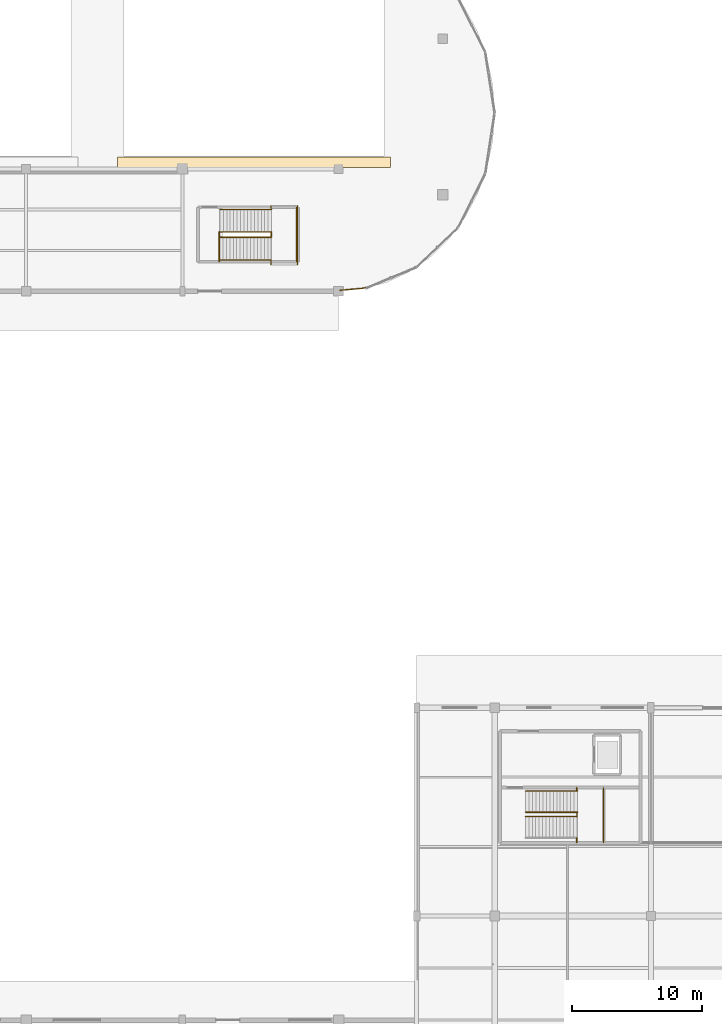
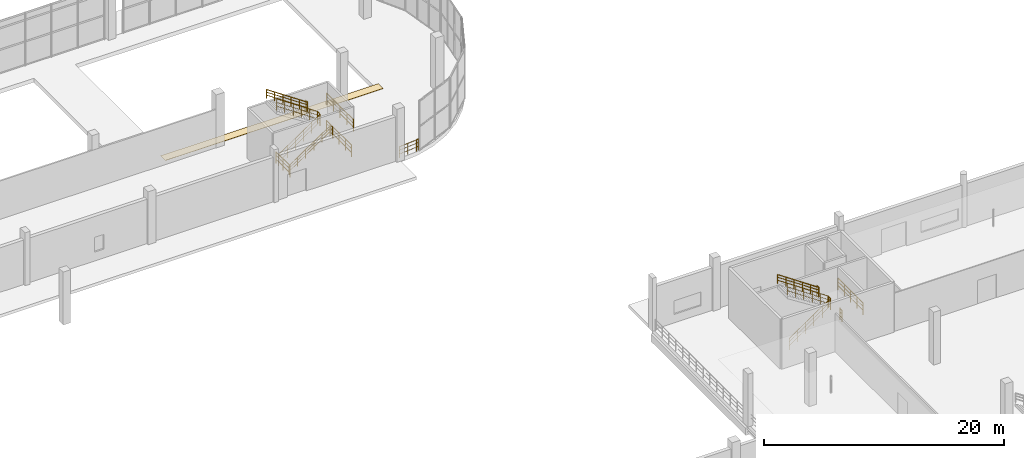
# One storey, part 82 of 85: 19 railings, 1 covering.
"""IFC4 building model written with IfcOpenShell, lengths in metres."""

import ifcopenshell
import ifcopenshell.guid

model = None  # the IFC model being written
_history = None  # IfcOwnerHistory: only IFC2X3 demands one
_inside = {}  # id of a spatial element -> (the spatial element, [elements in it])
_under = {}  # id of a project, library or spatial element -> (it, [spatial elements below it])
_declared = {}  # id of a project -> (the project, [libraries it declares])
_typed = {}  # id of a type object -> (the type object, [elements of that type])
_made_of = {}  # id of a material, layer set ... -> (it, [elements and type objects made of it])


def new_model(schema):
    """Start an empty IFC model of exactly this schema.

    Asked for "IFC4X3", IfcOpenShell would pick the latest addendum, in which some entities
    have other attributes; the version numbers below select the first issue.
    IFC2X3 requires an IfcOwnerHistory on every rooted entity: one is made here for all.
    """
    global model, _history
    if schema == "IFC4X3":
        model = ifcopenshell.file(schema_version=(4, 3, 0, 0))
    else:
        model = ifcopenshell.file(schema=schema)
    _inside.clear()
    _under.clear()
    _declared.clear()
    _typed.clear()
    _made_of.clear()
    _history = None
    if model.schema == "IFC2X3":
        org = make("IfcOrganization", Name="unknown")
        user = make(
            "IfcPersonAndOrganization",
            ThePerson=make("IfcPerson", FamilyName="unknown"),
            TheOrganization=org,
        )
        app = make(
            "IfcApplication",
            ApplicationDeveloper=org,
            Version="unknown",
            ApplicationFullName="unknown",
            ApplicationIdentifier="unknown",
        )
        _history = make(
            "IfcOwnerHistory",
            OwningUser=user,
            OwningApplication=app,
            ChangeAction="ADDED",
            CreationDate=0,
        )
    return model


def make(cls, **values):
    """One entity of the class cls with the attributes given. An attribute that is None is left unset."""
    return model.create_entity(
        cls, **{name: value for name, value in values.items() if value is not None}
    )


def rooted(cls, **values):
    """An entity with a GlobalId (a new one), such as an element, a storey or a relation."""
    return make(cls, GlobalId=ifcopenshell.guid.new(), OwnerHistory=_history, **values)


def si_unit(unit_type, name, prefix=None):
    """IfcSIUnit, for example si_unit("LENGTHUNIT", "METRE", prefix="MILLI")."""
    return make("IfcSIUnit", UnitType=unit_type, Prefix=prefix, Name=name)


def assignment(units):
    """IfcUnitAssignment: the units of a project."""
    return None if units is None else make("IfcUnitAssignment", Units=units)


def point(xyz):
    """IfcCartesianPoint."""
    return None if xyz is None else make("IfcCartesianPoint", Coordinates=xyz)


def direction(xyz):
    """IfcDirection."""
    return None if xyz is None else make("IfcDirection", DirectionRatios=xyz)


def frame(location, z_axis=None, x_axis=None):
    """IfcAxis2Placement3D, a coordinate frame: its origin and axes. An axis left out is left unset."""
    return make(
        "IfcAxis2Placement3D",
        Location=point(location),
        Axis=direction(z_axis),
        RefDirection=direction(x_axis),
    )


def frame_2d(location, x_axis=None):
    """IfcAxis2Placement2D, a coordinate frame in the plane: its origin and x axis."""
    return make(
        "IfcAxis2Placement2D", Location=point(location), RefDirection=direction(x_axis)
    )


def origin():
    """The frame at (0, 0, 0) with its axes left unset."""
    return frame((0.0, 0.0, 0.0))


def origin_2d():
    """The frame at (0, 0) in the plane with its x axis left unset."""
    return frame_2d((0.0, 0.0))


def place(relative_to, where):
    """IfcLocalPlacement: puts the frame where relative to a parent placement (None: the world)."""
    return make(
        "IfcLocalPlacement", PlacementRelTo=relative_to, RelativePlacement=where
    )


def context(
    kind, dimensions, precision=None, world=None, true_north=None, identifier=None
):
    """IfcGeometricRepresentationContext, for example the 3D "Model" context."""
    return make(
        "IfcGeometricRepresentationContext",
        ContextIdentifier=identifier,
        ContextType=kind,
        CoordinateSpaceDimension=dimensions,
        Precision=precision,
        WorldCoordinateSystem=world,
        TrueNorth=true_north,
    )


def subcontext(parent, identifier, kind, view, scale=None):
    """IfcGeometricRepresentationSubContext, for example "Body" below "Model"."""
    return make(
        "IfcGeometricRepresentationSubContext",
        ContextIdentifier=identifier,
        ContextType=kind,
        ParentContext=parent,
        TargetScale=scale,
        TargetView=view,
    )


def project(units=None, contexts=None):
    """IfcProject with its units and contexts."""
    return rooted(
        "IfcProject",
        Name="project",
        RepresentationContexts=contexts,
        UnitsInContext=assignment(units),
    )


def spatial(cls, under=None, at=None, **own):
    """A site, building, storey or space (cls), placed at a placement, below another one or the project."""
    s = rooted(cls, ObjectPlacement=at, **own)
    if under is not None:
        _under.setdefault(under.id(), (under, []))[1].append(s)
    return s


def profile(cls, at=None, kind="AREA", **sizes):
    """A parametric profile (cls). Its sizes go by their IFC names, for example OverallWidth=200.0."""
    return make(cls, ProfileType=kind, Position=at, **sizes)


def rectangle(**sizes):
    """IfcRectangleProfileDef."""
    return profile("IfcRectangleProfileDef", **sizes)


def circle(**sizes):
    """IfcCircleProfileDef."""
    return profile("IfcCircleProfileDef", **sizes)


def extrude(swept, where, along, depth):
    """IfcExtrudedAreaSolid: the profile swept, set in the frame where, extruded along a direction by depth."""
    return make(
        "IfcExtrudedAreaSolid",
        SweptArea=swept,
        Position=where,
        ExtrudedDirection=direction(along),
        Depth=depth,
    )


def shape(context_of_items, identifier, shape_type, items):
    """IfcShapeRepresentation: the items that make up one representation, for example the "Body"."""
    return make(
        "IfcShapeRepresentation",
        ContextOfItems=context_of_items,
        RepresentationIdentifier=identifier,
        RepresentationType=shape_type,
        Items=items,
    )


def material(Name=None, Category=None):
    """IfcMaterial."""
    return make("IfcMaterial", Name=Name, Category=Category)


def layer(
    of_material, thickness, ventilated=None, Name=None, Category=None, Priority=None
):
    """IfcMaterialLayer: one layer of a wall or slab, of a material (None: an air gap)."""
    return make(
        "IfcMaterialLayer",
        Material=of_material,
        LayerThickness=thickness,
        IsVentilated=ventilated,
        Name=Name,
        Category=Category,
        Priority=Priority,
    )


def layer_set(layers, Name=None):
    """IfcMaterialLayerSet."""
    return make("IfcMaterialLayerSet", MaterialLayers=layers, LayerSetName=Name)


def made_of(thing, what):
    """Note that an element or type object is made of a material, layer set ...; save() writes the relation."""
    if what is not None:
        _made_of.setdefault(what.id(), (what, []))[1].append(thing)
    return thing


def type_object(cls, material=None, **own):
    """A type object (cls), such as IfcWallType, which elements share."""
    return made_of(rooted(cls, **own), material)


def element(
    cls,
    number,
    at=None,
    inside=None,
    cuts=None,
    type_object=None,
    material=None,
    context=None,
    identifier="Body",
    shape_type=None,
    held_by="IfcProductDefinitionShape",
    body=None,
    shapes=None,
    **own,
):
    """One element of the class cls, such as IfcWall. Its Tag is "e" and its number.

    at: its placement. inside: the storey or other place that contains it. cuts: it is an
    opening in that element (IfcRelVoidsElement). A single representation is given by context,
    identifier, shape_type and body (its items); several are given by shapes. held_by: the class
    of the entity that holds the representations. save() writes the other relations.
    """
    e = rooted(cls, Tag="e%d" % number, ObjectPlacement=at, **own)
    if body is not None:
        shapes = [shape(context, identifier, shape_type, body)]
    if shapes is not None:
        e.Representation = make(held_by, Representations=shapes)
    if inside is not None:
        _inside.setdefault(inside.id(), (inside, []))[1].append(e)
    if cuts is not None:
        rooted(
            "IfcRelVoidsElement", RelatingBuildingElement=cuts, RelatedOpeningElement=e
        )
    if type_object is not None:
        _typed.setdefault(type_object.id(), (type_object, []))[1].append(e)
    return made_of(e, material)


def aggregate(whole, parts):
    """IfcRelAggregates: a whole, such as a stair, and the parts it consists of."""
    return rooted("IfcRelAggregates", RelatingObject=whole, RelatedObjects=parts)


def save(model, path):
    """Write the relations noted so far, then the file.

    IfcRelAggregates (storeys below a building ...), IfcRelContainedInSpatialStructure (elements
    in a storey), IfcRelDefinesByType, IfcRelAssociatesMaterial and IfcRelDeclares: one each for
    every whole, place, type object, material and project.
    """
    for whole, parts in _under.values():
        aggregate(whole, parts)
    for where, things in _inside.values():
        rooted(
            "IfcRelContainedInSpatialStructure",
            RelatedElements=things,
            RelatingStructure=where,
        )
    for kind, things in _typed.values():
        rooted("IfcRelDefinesByType", RelatedObjects=things, RelatingType=kind)
    for what, things in _made_of.values():
        rooted("IfcRelAssociatesMaterial", RelatedObjects=things, RelatingMaterial=what)
    for by, libraries in _declared.values():
        rooted("IfcRelDeclares", RelatingContext=by, RelatedDefinitions=libraries)
    model.write(path)


model = new_model("IFC4")

# Units and contexts
model_context = context("Model", 3, precision=1e-05, world=origin(), true_north=direction((0.0, 1.0)))
body_context = subcontext(model_context, "Body", "Model", "MODEL_VIEW")
ifc_project = project(units=[si_unit("LENGTHUNIT", "METRE"), si_unit("AREAUNIT", "SQUARE_METRE"), si_unit("VOLUMEUNIT", "CUBIC_METRE"), si_unit("PLANEANGLEUNIT", "RADIAN"), si_unit("MASSUNIT", "GRAM", prefix="KILO"), si_unit("THERMODYNAMICTEMPERATUREUNIT", "KELVIN"), si_unit("POWERUNIT", "WATT")], contexts=[model_context])

# Site, building, storey
site_placement = place(None, origin())
site = spatial("IfcSite", under=ifc_project, at=site_placement, CompositionType="ELEMENT")
building_placement = place(site_placement, origin())
building = spatial("IfcBuilding", under=site, at=building_placement, Name="Solmara Park Aquatics Centre", CompositionType="ELEMENT")
storey_placement = place(building_placement, origin())
storey = spatial("IfcBuildingStorey", under=building, at=storey_placement, Name="L00", CompositionType="ELEMENT", Elevation=0.0)

# Covering
ifc_material_1 = material(Name="Anti-Slip Seafoam Ceramic Pool Deck Tile", Category="ceramic")
ifc_layer_1 = layer(ifc_material_1, 0.030029296875, Name="Anti-Slip Seafoam Ceramic Pool Deck Tile")
ifc_layer_set_1 = layer_set([ifc_layer_1], Name="Anti-Slip Seafoam Ceramic Pool Deck Tile")
covering_type = type_object("IfcCoveringType", Name="ARC-COV-TILE", PredefinedType="FLOORING", material=ifc_layer_set_1)
covering_placement = place(storey_placement, frame((149.5, 118.5, 0.0), z_axis=(0.0, 0.0, 1.0), x_axis=(1.0, 0.0, 0.0)))
element("IfcCovering", 1, at=covering_placement, inside=storey, type_object=covering_type, Name="Seafoam Anti-Slip Pool Deck Tile 06", PredefinedType="FLOORING", context=body_context, shape_type="SweptSolid", body=[
    extrude(rectangle(XDim=21.0, YDim=0.800048828125, at=origin_2d()), origin(), (0.0, 0.0, 1.0), 0.030029296875),
])

# Railings
ifc_material_2 = material(Name="Brushed Marine-Grade Stainless Steel 316L Handrail", Category="steel")
ifc_layer_2 = layer(ifc_material_2, 0.044921875, Name="Brushed Marine-Grade Stainless Steel 316L Handrail")
ifc_layer_set_2 = layer_set([ifc_layer_2], Name="Brushed Marine-Grade Stainless Steel 316L Handrail")
railing_type_1 = type_object("IfcRailingType", Name="ARC-RL-HND090", PredefinedType="HANDRAIL", material=ifc_layer_set_2)
railing_1_placement = place(storey_placement, frame((174.35498046875, 70.18994140625, 2.868896484375)))
element("IfcRailing", 2, at=railing_1_placement, inside=storey, type_object=railing_type_1, Name="ST-05 Protected Exit Stair (L00 to L01) Flight 2 Outer Handrail", PredefinedType="HANDRAIL", context=body_context, shape_type="SweptSolid", body=[
    extrude(circle(Radius=0.02392578125, at=origin_2d()), frame((0.0, 0.0, 0.89599609375), z_axis=(-0.827227830126, 0.0, 0.561866636369), x_axis=(0.0, -1.0, 0.0)), (0.0, 0.0, 1.0), 4.805419921875),
    extrude(circle(Radius=0.01416015625, at=origin_2d()), frame((0.0, 0.0, 0.322021484375), z_axis=(-0.827227830126, 0.0, 0.561866636369), x_axis=(0.0, -1.0, 0.0)), (0.0, 0.0, 1.0), 4.805419921875),
    extrude(circle(Radius=0.01416015625, at=origin_2d()), frame((0.0, 0.0, 0.62548828125), z_axis=(-0.827227830126, 0.0, 0.561866636369), x_axis=(0.0, -1.0, 0.0)), (0.0, 0.0, 1.0), 4.805419921875),
    extrude(circle(Radius=0.02099609375, at=origin_2d()), origin(), (0.0, 0.0, 1.0), 0.871826171875),
    extrude(circle(Radius=0.02099609375, at=origin_2d()), frame((-0.794921875, 0.0, 0.5400390625)), (0.0, 0.0, 1.0), 0.871826171875),
    extrude(circle(Radius=0.02099609375, at=origin_2d()), frame((-1.590087890625, 0.0, 1.080078125)), (0.0, 0.0, 1.0), 0.871826171875),
    extrude(circle(Radius=0.02099609375, at=origin_2d()), frame((-2.385009765625, 0.0, 1.619873046875)), (0.0, 0.0, 1.0), 0.871826171875),
    extrude(circle(Radius=0.02099609375, at=origin_2d()), frame((-3.18017578125, 0.0, 2.159912109375)), (0.0, 0.0, 1.0), 0.871826171875),
    extrude(circle(Radius=0.02099609375, at=origin_2d()), frame((-3.97509765625, 0.0, 2.699951171875)), (0.0, 0.0, 1.0), 0.871826171875),
])
railing_2_placement = place(storey_placement, frame((146.85009765625, 111.010009765625, 0.168701171875)))
element("IfcRailing", 3, at=railing_2_placement, inside=storey, type_object=railing_type_1, Name="East Wellness Escape Stair ST-07 (L00-L01) Flight 1 Outer Handrail", PredefinedType="HANDRAIL", context=body_context, shape_type="SweptSolid", body=[
    extrude(circle(Radius=0.02392578125, at=origin_2d()), frame((0.0, 0.0, 0.89599609375), z_axis=(0.82718817395, 0.0, 0.56192501713), x_axis=(0.0, 1.0, 0.0)), (0.0, 0.0, 1.0), 4.80517578125),
    extrude(circle(Radius=0.01416015625, at=origin_2d()), frame((0.0, 0.0, 0.322021484375), z_axis=(0.82718817395, 0.0, 0.56192501713), x_axis=(0.0, 1.0, 0.0)), (0.0, 0.0, 1.0), 4.80517578125),
    extrude(circle(Radius=0.01416015625, at=origin_2d()), frame((0.0, 0.0, 0.62548828125), z_axis=(0.82718817395, 0.0, 0.56192501713), x_axis=(0.0, 1.0, 0.0)), (0.0, 0.0, 1.0), 4.80517578125),
    extrude(circle(Radius=0.02099609375, at=origin_2d()), origin(), (0.0, 0.0, 1.0), 0.871826171875),
    extrude(circle(Radius=0.02099609375, at=origin_2d()), frame((0.794921875, 0.0, 0.5400390625)), (0.0, 0.0, 1.0), 0.871826171875),
    extrude(circle(Radius=0.02099609375, at=origin_2d()), frame((1.58984375, 0.0, 1.080078125)), (0.0, 0.0, 1.0), 0.871826171875),
    extrude(circle(Radius=0.02099609375, at=origin_2d()), frame((2.385009765625, 0.0, 1.6201171875)), (0.0, 0.0, 1.0), 0.871826171875),
    extrude(circle(Radius=0.02099609375, at=origin_2d()), frame((3.179931640625, 0.0, 2.16015625)), (0.0, 0.0, 1.0), 0.871826171875),
    extrude(circle(Radius=0.02099609375, at=origin_2d()), frame((3.974853515625, 0.0, 2.7001953125)), (0.0, 0.0, 1.0), 0.871826171875),
])
railing_3_placement = place(storey_placement, frame((150.85498046875, 114.889892578125, 2.868896484375)))
element("IfcRailing", 4, at=railing_3_placement, inside=storey, type_object=railing_type_1, Name="East Wellness Escape Stair ST-07 (L00-L01) Flight 2 Outer Handrail", PredefinedType="HANDRAIL", context=body_context, shape_type="SweptSolid", body=[
    extrude(circle(Radius=0.02392578125, at=origin_2d()), frame((0.0, 0.0, 0.89599609375), z_axis=(-0.827227830126, 0.0, 0.561866636369), x_axis=(0.0, -1.0, 0.0)), (0.0, 0.0, 1.0), 4.805419921875),
    extrude(circle(Radius=0.01416015625, at=origin_2d()), frame((0.0, 0.0, 0.322021484375), z_axis=(-0.827227830126, 0.0, 0.561866636369), x_axis=(0.0, -1.0, 0.0)), (0.0, 0.0, 1.0), 4.805419921875),
    extrude(circle(Radius=0.01416015625, at=origin_2d()), frame((0.0, 0.0, 0.62548828125), z_axis=(-0.827227830126, 0.0, 0.561866636369), x_axis=(0.0, -1.0, 0.0)), (0.0, 0.0, 1.0), 4.805419921875),
    extrude(circle(Radius=0.02099609375, at=origin_2d()), origin(), (0.0, 0.0, 1.0), 0.871826171875),
    extrude(circle(Radius=0.02099609375, at=origin_2d()), frame((-0.794921875, 0.0, 0.5400390625)), (0.0, 0.0, 1.0), 0.871826171875),
    extrude(circle(Radius=0.02099609375, at=origin_2d()), frame((-1.590087890625, 0.0, 1.080078125)), (0.0, 0.0, 1.0), 0.871826171875),
    extrude(circle(Radius=0.02099609375, at=origin_2d()), frame((-2.385009765625, 0.0, 1.619873046875)), (0.0, 0.0, 1.0), 0.871826171875),
    extrude(circle(Radius=0.02099609375, at=origin_2d()), frame((-3.18017578125, 0.0, 2.159912109375)), (0.0, 0.0, 1.0), 0.871826171875),
    extrude(circle(Radius=0.02099609375, at=origin_2d()), frame((-3.97509765625, 0.0, 2.699951171875)), (0.0, 0.0, 1.0), 0.871826171875),
])
ifc_material_3 = material(Name="Toughened Glass and Stainless Steel Stand Guardrail", Category="steel")
ifc_layer_3 = layer(ifc_material_3, 0.06005859375, Name="Toughened Glass and Stainless Steel Stand Guardrail")
ifc_layer_set_3 = layer_set([ifc_layer_3], Name="Toughened Glass and Stainless Steel Stand Guardrail")
railing_type_2 = type_object("IfcRailingType", Name="ARC-RL-STD110", PredefinedType="GUARDRAIL", material=ifc_layer_set_3)
railing_4_placement = place(storey_placement, frame((158.1123046875, 108.8955078125, 0.0)))
element("IfcRailing", 5, at=railing_4_placement, inside=storey, type_object=railing_type_2, Name="L00 Slab Edge Guardrail 032", PredefinedType="GUARDRAIL", context=body_context, shape_type="SweptSolid", body=[
    extrude(circle(Radius=0.02392578125, at=origin_2d()), frame((0.0, 0.0, 1.15576171875), z_axis=(-0.964187030822, -0.265223244824, 0.0), x_axis=(0.265223244824, -0.964187030822, 0.0)), (0.0, 0.0, 1.0), 0.2548828125),
    extrude(circle(Radius=0.01416015625, at=origin_2d()), frame((0.0, 0.0, 0.4130859375), z_axis=(-0.964187030822, -0.265223244824, 0.0), x_axis=(0.265223244824, -0.964187030822, 0.0)), (0.0, 0.0, 1.0), 0.2548828125),
    extrude(circle(Radius=0.01416015625, at=origin_2d()), frame((0.0, 0.0, 0.80224609375), z_axis=(-0.964187030822, -0.265223244824, 0.0), x_axis=(0.265223244824, -0.964187030822, 0.0)), (0.0, 0.0, 1.0), 0.2548828125),
    extrude(circle(Radius=0.02099609375, at=origin_2d()), origin(), (0.0, 0.0, 1.0), 1.1318359375),
    extrude(circle(Radius=0.02099609375, at=origin_2d()), frame((-0.245849609375, -0.067626953125, 0.0)), (0.0, 0.0, 1.0), 1.1318359375),
])
railing_5_placement = place(storey_placement, frame((157.866455078125, 108.827880859375, 0.0)))
element("IfcRailing", 6, at=railing_5_placement, inside=storey, type_object=railing_type_2, Name="L00 Slab Edge Guardrail 033", PredefinedType="GUARDRAIL", context=body_context, shape_type="SweptSolid", body=[
    extrude(circle(Radius=0.02392578125, at=origin_2d()), frame((0.0, 0.0, 1.15576171875), z_axis=(-0.995995298895, -0.089405618273, 0.0), x_axis=(0.089405618273, -0.995995298895, 0.0)), (0.0, 0.0, 1.0), 1.753173828125),
    extrude(circle(Radius=0.01416015625, at=origin_2d()), frame((0.0, 0.0, 0.4130859375), z_axis=(-0.995995298895, -0.089405618273, 0.0), x_axis=(0.089405618273, -0.995995298895, 0.0)), (0.0, 0.0, 1.0), 1.753173828125),
    extrude(circle(Radius=0.01416015625, at=origin_2d()), frame((0.0, 0.0, 0.80224609375), z_axis=(-0.995995298895, -0.089405618273, 0.0), x_axis=(0.089405618273, -0.995995298895, 0.0)), (0.0, 0.0, 1.0), 1.753173828125),
    extrude(circle(Radius=0.02099609375, at=origin_2d()), origin(), (0.0, 0.0, 1.0), 1.1318359375),
    extrude(circle(Radius=0.02099609375, at=origin_2d()), frame((-0.873046875, -0.078369140625, 0.0)), (0.0, 0.0, 1.0), 1.1318359375),
    extrude(circle(Radius=0.02099609375, at=origin_2d()), frame((-1.74609375, -0.15673828125, 0.0)), (0.0, 0.0, 1.0), 1.1318359375),
])
ifc_material_4 = material(Name="Brushed Stainless Steel Guardrail", Category="steel")
ifc_layer_4 = layer(ifc_material_4, 0.050048828125, Name="Brushed Stainless Steel Guardrail")
ifc_layer_set_4 = layer_set([ifc_layer_4], Name="Brushed Stainless Steel Guardrail")
railing_type_3 = type_object("IfcRailingType", Name="ARC-RL-STR110", PredefinedType="GUARDRAIL", material=ifc_layer_set_4)
railing_6_placement = place(storey_placement, frame((170.35009765625, 68.22998046875, 0.0)))
element("IfcRailing", 7, at=railing_6_placement, inside=storey, type_object=railing_type_3, Name="ST-05 Protected Exit Stair (L00 to L01) Flight 1 Inner Guardrail", PredefinedType="GUARDRAIL", context=body_context, shape_type="SweptSolid", body=[
    extrude(circle(Radius=0.02392578125, at=origin_2d()), frame((0.0, 0.0, 1.15576171875), z_axis=(0.827211789872, 0.0, 0.56189025147), x_axis=(0.0, 1.0, 0.0)), (0.0, 0.0, 1.0), 4.80517578125),
    extrude(circle(Radius=0.01416015625, at=origin_2d()), frame((0.0, 0.0, 0.4130859375), z_axis=(0.827211789872, 0.0, 0.56189025147), x_axis=(0.0, 1.0, 0.0)), (0.0, 0.0, 1.0), 4.80517578125),
    extrude(circle(Radius=0.01416015625, at=origin_2d()), frame((0.0, 0.0, 0.80224609375), z_axis=(0.827211789872, 0.0, 0.56189025147), x_axis=(0.0, 1.0, 0.0)), (0.0, 0.0, 1.0), 4.80517578125),
    extrude(circle(Radius=0.02099609375, at=origin_2d()), origin(), (0.0, 0.0, 1.0), 1.1318359375),
    extrude(circle(Radius=0.02099609375, at=origin_2d()), frame((0.794921875, 0.0, 0.5400390625)), (0.0, 0.0, 1.0), 1.1318359375),
    extrude(circle(Radius=0.02099609375, at=origin_2d()), frame((1.58984375, 0.0, 1.080078125)), (0.0, 0.0, 1.0), 1.1318359375),
    extrude(circle(Radius=0.02099609375, at=origin_2d()), frame((2.385009765625, 0.0, 1.619873046875)), (0.0, 0.0, 1.0), 1.1318359375),
    extrude(circle(Radius=0.02099609375, at=origin_2d()), frame((3.179931640625, 0.0, 2.159912109375)), (0.0, 0.0, 1.0), 1.1318359375),
    extrude(circle(Radius=0.02099609375, at=origin_2d()), frame((3.974853515625, 0.0, 2.699951171875)), (0.0, 0.0, 1.0), 1.1318359375),
])
railing_7_placement = place(storey_placement, frame((174.35498046875, 68.570068359375, 2.699951171875)))
element("IfcRailing", 8, at=railing_7_placement, inside=storey, type_object=railing_type_3, Name="ST-05 Protected Exit Stair (L00 to L01) Flight 2 Inner Guardrail", PredefinedType="GUARDRAIL", context=body_context, shape_type="SweptSolid", body=[
    extrude(circle(Radius=0.02392578125, at=origin_2d()), frame((0.0, 0.0, 1.15576171875), z_axis=(-0.827227830126, 0.0, 0.561866636369), x_axis=(0.0, -1.0, 0.0)), (0.0, 0.0, 1.0), 4.805419921875),
    extrude(circle(Radius=0.01416015625, at=origin_2d()), frame((0.0, 0.0, 0.4130859375), z_axis=(-0.827227830126, 0.0, 0.561866636369), x_axis=(0.0, -1.0, 0.0)), (0.0, 0.0, 1.0), 4.805419921875),
    extrude(circle(Radius=0.01416015625, at=origin_2d()), frame((0.0, 0.0, 0.80224609375), z_axis=(-0.827227830126, 0.0, 0.561866636369), x_axis=(0.0, -1.0, 0.0)), (0.0, 0.0, 1.0), 4.805419921875),
    extrude(circle(Radius=0.02099609375, at=origin_2d()), origin(), (0.0, 0.0, 1.0), 1.1318359375),
    extrude(circle(Radius=0.02099609375, at=origin_2d()), frame((-0.794921875, 0.0, 0.5400390625)), (0.0, 0.0, 1.0), 1.1318359375),
    extrude(circle(Radius=0.02099609375, at=origin_2d()), frame((-1.590087890625, 0.0, 1.080078125)), (0.0, 0.0, 1.0), 1.1318359375),
    extrude(circle(Radius=0.02099609375, at=origin_2d()), frame((-2.385009765625, 0.0, 1.619873046875)), (0.0, 0.0, 1.0), 1.1318359375),
    extrude(circle(Radius=0.02099609375, at=origin_2d()), frame((-3.18017578125, 0.0, 2.159912109375)), (0.0, 0.0, 1.0), 1.1318359375),
    extrude(circle(Radius=0.02099609375, at=origin_2d()), frame((-3.97509765625, 0.0, 2.699951171875)), (0.0, 0.0, 1.0), 1.1318359375),
])
railing_8_placement = place(storey_placement, frame((174.324951171875, 68.2099609375, 2.699951171875)))
element("IfcRailing", 9, at=railing_8_placement, inside=storey, type_object=railing_type_3, Name="ST-05 Protected Exit Stair (L00 to L01) Half-Landing Well Guardrail", PredefinedType="GUARDRAIL", context=body_context, shape_type="SweptSolid", body=[
    extrude(circle(Radius=0.02392578125, at=origin_2d()), frame((0.0, 0.0, 1.15576171875), z_axis=(0.0, 1.0, 0.0), x_axis=(-1.0, 0.0, 0.0)), (0.0, 0.0, 1.0), 0.380126953125),
    extrude(circle(Radius=0.01416015625, at=origin_2d()), frame((0.0, 0.0, 0.4130859375), z_axis=(0.0, 1.0, 0.0), x_axis=(-1.0, 0.0, 0.0)), (0.0, 0.0, 1.0), 0.380126953125),
    extrude(circle(Radius=0.01416015625, at=origin_2d()), frame((0.0, 0.0, 0.80224609375), z_axis=(0.0, 1.0, 0.0), x_axis=(-1.0, 0.0, 0.0)), (0.0, 0.0, 1.0), 0.380126953125),
    extrude(circle(Radius=0.02099609375, at=origin_2d()), origin(), (0.0, 0.0, 1.0), 1.1318359375),
    extrude(circle(Radius=0.02099609375, at=origin_2d()), frame((0.0, 0.380126953125, 0.0)), (0.0, 0.0, 1.0), 1.1318359375),
])
railing_9_placement = place(storey_placement, frame((174.294921875, 66.239990234375, 2.699951171875)))
element("IfcRailing", 10, at=railing_9_placement, inside=storey, type_object=railing_type_3, Name="ST-05 Protected Exit Stair (L00 to L01) Half-Landing South Slot Guardrail", PredefinedType="GUARDRAIL", context=body_context, shape_type="SweptSolid", body=[
    extrude(circle(Radius=0.02392578125, at=origin_2d()), frame((0.0, 0.0, 1.15576171875), z_axis=(0.0, 1.0, 0.0), x_axis=(-1.0, 0.0, 0.0)), (0.0, 0.0, 1.0), 0.360107421875),
    extrude(circle(Radius=0.01416015625, at=origin_2d()), frame((0.0, 0.0, 0.4130859375), z_axis=(0.0, 1.0, 0.0), x_axis=(-1.0, 0.0, 0.0)), (0.0, 0.0, 1.0), 0.360107421875),
    extrude(circle(Radius=0.01416015625, at=origin_2d()), frame((0.0, 0.0, 0.80224609375), z_axis=(0.0, 1.0, 0.0), x_axis=(-1.0, 0.0, 0.0)), (0.0, 0.0, 1.0), 0.360107421875),
    extrude(circle(Radius=0.02099609375, at=origin_2d()), origin(), (0.0, 0.0, 1.0), 1.1318359375),
    extrude(circle(Radius=0.02099609375, at=origin_2d()), frame((0.0, 0.360107421875, 0.0)), (0.0, 0.0, 1.0), 1.1318359375),
])
railing_10_placement = place(storey_placement, frame((174.294921875, 70.199951171875, 2.699951171875)))
element("IfcRailing", 11, at=railing_10_placement, inside=storey, type_object=railing_type_3, Name="ST-05 Protected Exit Stair (L00 to L01) Half-Landing North Slot Guardrail", PredefinedType="GUARDRAIL", context=body_context, shape_type="SweptSolid", body=[
    extrude(circle(Radius=0.02392578125, at=origin_2d()), frame((0.0, 0.0, 1.15576171875), z_axis=(0.0, 1.0, 0.0), x_axis=(-1.0, 0.0, 0.0)), (0.0, 0.0, 1.0), 0.260009765625),
    extrude(circle(Radius=0.01416015625, at=origin_2d()), frame((0.0, 0.0, 0.4130859375), z_axis=(0.0, 1.0, 0.0), x_axis=(-1.0, 0.0, 0.0)), (0.0, 0.0, 1.0), 0.260009765625),
    extrude(circle(Radius=0.01416015625, at=origin_2d()), frame((0.0, 0.0, 0.80224609375), z_axis=(0.0, 1.0, 0.0), x_axis=(-1.0, 0.0, 0.0)), (0.0, 0.0, 1.0), 0.260009765625),
    extrude(circle(Radius=0.02099609375, at=origin_2d()), origin(), (0.0, 0.0, 1.0), 1.1318359375),
    extrude(circle(Radius=0.02099609375, at=origin_2d()), frame((0.0, 0.260009765625, 0.0)), (0.0, 0.0, 1.0), 1.1318359375),
])
railing_11_placement = place(storey_placement, frame((176.35009765625, 66.260009765625, 2.699951171875)))
element("IfcRailing", 12, at=railing_11_placement, inside=storey, type_object=railing_type_3, Name="ST-05 Protected Exit Stair (L00 to L01) Half-Landing Outer Guardrail", PredefinedType="GUARDRAIL", context=body_context, shape_type="SweptSolid", body=[
    extrude(circle(Radius=0.02392578125, at=origin_2d()), frame((0.0, 0.0, 1.15576171875), z_axis=(0.0, 1.0, 0.0), x_axis=(-1.0, 0.0, 0.0)), (0.0, 0.0, 1.0), 4.179931640625),
    extrude(circle(Radius=0.01416015625, at=origin_2d()), frame((0.0, 0.0, 0.4130859375), z_axis=(0.0, 1.0, 0.0), x_axis=(-1.0, 0.0, 0.0)), (0.0, 0.0, 1.0), 4.179931640625),
    extrude(circle(Radius=0.01416015625, at=origin_2d()), frame((0.0, 0.0, 0.80224609375), z_axis=(0.0, 1.0, 0.0), x_axis=(-1.0, 0.0, 0.0)), (0.0, 0.0, 1.0), 4.179931640625),
    extrude(circle(Radius=0.02099609375, at=origin_2d()), origin(), (0.0, 0.0, 1.0), 1.1318359375),
    extrude(circle(Radius=0.02099609375, at=origin_2d()), frame((0.0, 1.044921875, 0.0)), (0.0, 0.0, 1.0), 1.1318359375),
    extrude(circle(Radius=0.02099609375, at=origin_2d()), frame((0.0, 2.08984375, 0.0)), (0.0, 0.0, 1.0), 1.1318359375),
    extrude(circle(Radius=0.02099609375, at=origin_2d()), frame((0.0, 3.135009765625, 0.0)), (0.0, 0.0, 1.0), 1.1318359375),
    extrude(circle(Radius=0.02099609375, at=origin_2d()), frame((0.0, 4.179931640625, 0.0)), (0.0, 0.0, 1.0), 1.1318359375),
])
railing_12_placement = place(storey_placement, frame((146.830078125, 110.8701171875, 0.0)))
element("IfcRailing", 13, at=railing_12_placement, inside=storey, type_object=railing_type_3, Name="East Wellness Escape Stair ST-07 (B1-L00) Arrival Well Guardrail", PredefinedType="GUARDRAIL", context=body_context, shape_type="SweptSolid", body=[
    extrude(circle(Radius=0.02392578125, at=origin_2d()), frame((0.0, 0.0, 1.15576171875), z_axis=(0.0, 1.0, 0.0), x_axis=(-1.0, 0.0, 0.0)), (0.0, 0.0, 1.0), 2.2998046875),
    extrude(circle(Radius=0.01416015625, at=origin_2d()), frame((0.0, 0.0, 0.4130859375), z_axis=(0.0, 1.0, 0.0), x_axis=(-1.0, 0.0, 0.0)), (0.0, 0.0, 1.0), 2.2998046875),
    extrude(circle(Radius=0.01416015625, at=origin_2d()), frame((0.0, 0.0, 0.80224609375), z_axis=(0.0, 1.0, 0.0), x_axis=(-1.0, 0.0, 0.0)), (0.0, 0.0, 1.0), 2.2998046875),
    extrude(circle(Radius=0.02099609375, at=origin_2d()), origin(), (0.0, 0.0, 1.0), 1.1318359375),
    extrude(circle(Radius=0.02099609375, at=origin_2d()), frame((0.0, 1.14990234375, 0.0)), (0.0, 0.0, 1.0), 1.1318359375),
    extrude(circle(Radius=0.02099609375, at=origin_2d()), frame((0.0, 2.2998046875, 0.0)), (0.0, 0.0, 1.0), 1.1318359375),
])
railing_13_placement = place(storey_placement, frame((152.780029296875, 110.8701171875, 0.0)))
element("IfcRailing", 14, at=railing_13_placement, inside=storey, type_object=railing_type_3, Name="East Wellness Escape Stair ST-07 (B1-L00) Far Well Edge Guardrail", PredefinedType="GUARDRAIL", context=body_context, shape_type="SweptSolid", body=[
    extrude(circle(Radius=0.02392578125, at=origin_2d()), frame((0.0, 0.0, 1.15576171875), z_axis=(0.0, 1.0, 0.0), x_axis=(-1.0, 0.0, 0.0)), (0.0, 0.0, 1.0), 4.159912109375),
    extrude(circle(Radius=0.01416015625, at=origin_2d()), frame((0.0, 0.0, 0.4130859375), z_axis=(0.0, 1.0, 0.0), x_axis=(-1.0, 0.0, 0.0)), (0.0, 0.0, 1.0), 4.159912109375),
    extrude(circle(Radius=0.01416015625, at=origin_2d()), frame((0.0, 0.0, 0.80224609375), z_axis=(0.0, 1.0, 0.0), x_axis=(-1.0, 0.0, 0.0)), (0.0, 0.0, 1.0), 4.159912109375),
    extrude(circle(Radius=0.02099609375, at=origin_2d()), origin(), (0.0, 0.0, 1.0), 1.1318359375),
    extrude(circle(Radius=0.02099609375, at=origin_2d()), frame((0.0, 1.0400390625, 0.0)), (0.0, 0.0, 1.0), 1.1318359375),
    extrude(circle(Radius=0.02099609375, at=origin_2d()), frame((0.0, 2.080078125, 0.0)), (0.0, 0.0, 1.0), 1.1318359375),
    extrude(circle(Radius=0.02099609375, at=origin_2d()), frame((0.0, 3.119873046875, 0.0)), (0.0, 0.0, 1.0), 1.1318359375),
    extrude(circle(Radius=0.02099609375, at=origin_2d()), frame((0.0, 4.159912109375, 0.0)), (0.0, 0.0, 1.0), 1.1318359375),
])
railing_14_placement = place(storey_placement, frame((146.85009765625, 112.75, 0.0)))
element("IfcRailing", 15, at=railing_14_placement, inside=storey, type_object=railing_type_3, Name="East Wellness Escape Stair ST-07 (L00-L01) Flight 1 Inner Guardrail", PredefinedType="GUARDRAIL", context=body_context, shape_type="SweptSolid", body=[
    extrude(circle(Radius=0.02392578125, at=origin_2d()), frame((0.0, 0.0, 1.15576171875), z_axis=(0.827211789872, 0.0, 0.56189025147), x_axis=(0.0, 1.0, 0.0)), (0.0, 0.0, 1.0), 4.80517578125),
    extrude(circle(Radius=0.01416015625, at=origin_2d()), frame((0.0, 0.0, 0.4130859375), z_axis=(0.827211789872, 0.0, 0.56189025147), x_axis=(0.0, 1.0, 0.0)), (0.0, 0.0, 1.0), 4.80517578125),
    extrude(circle(Radius=0.01416015625, at=origin_2d()), frame((0.0, 0.0, 0.80224609375), z_axis=(0.827211789872, 0.0, 0.56189025147), x_axis=(0.0, 1.0, 0.0)), (0.0, 0.0, 1.0), 4.80517578125),
    extrude(circle(Radius=0.02099609375, at=origin_2d()), origin(), (0.0, 0.0, 1.0), 1.1318359375),
    extrude(circle(Radius=0.02099609375, at=origin_2d()), frame((0.794921875, 0.0, 0.5400390625)), (0.0, 0.0, 1.0), 1.1318359375),
    extrude(circle(Radius=0.02099609375, at=origin_2d()), frame((1.58984375, 0.0, 1.080078125)), (0.0, 0.0, 1.0), 1.1318359375),
    extrude(circle(Radius=0.02099609375, at=origin_2d()), frame((2.385009765625, 0.0, 1.619873046875)), (0.0, 0.0, 1.0), 1.1318359375),
    extrude(circle(Radius=0.02099609375, at=origin_2d()), frame((3.179931640625, 0.0, 2.159912109375)), (0.0, 0.0, 1.0), 1.1318359375),
    extrude(circle(Radius=0.02099609375, at=origin_2d()), frame((3.974853515625, 0.0, 2.699951171875)), (0.0, 0.0, 1.0), 1.1318359375),
])
railing_15_placement = place(storey_placement, frame((150.85498046875, 113.14990234375, 2.699951171875)))
element("IfcRailing", 16, at=railing_15_placement, inside=storey, type_object=railing_type_3, Name="East Wellness Escape Stair ST-07 (L00-L01) Flight 2 Inner Guardrail", PredefinedType="GUARDRAIL", context=body_context, shape_type="SweptSolid", body=[
    extrude(circle(Radius=0.02392578125, at=origin_2d()), frame((0.0, 0.0, 1.15576171875), z_axis=(-0.827227830126, 0.0, 0.561866636369), x_axis=(0.0, -1.0, 0.0)), (0.0, 0.0, 1.0), 4.805419921875),
    extrude(circle(Radius=0.01416015625, at=origin_2d()), frame((0.0, 0.0, 0.4130859375), z_axis=(-0.827227830126, 0.0, 0.561866636369), x_axis=(0.0, -1.0, 0.0)), (0.0, 0.0, 1.0), 4.805419921875),
    extrude(circle(Radius=0.01416015625, at=origin_2d()), frame((0.0, 0.0, 0.80224609375), z_axis=(-0.827227830126, 0.0, 0.561866636369), x_axis=(0.0, -1.0, 0.0)), (0.0, 0.0, 1.0), 4.805419921875),
    extrude(circle(Radius=0.02099609375, at=origin_2d()), origin(), (0.0, 0.0, 1.0), 1.1318359375),
    extrude(circle(Radius=0.02099609375, at=origin_2d()), frame((-0.794921875, 0.0, 0.5400390625)), (0.0, 0.0, 1.0), 1.1318359375),
    extrude(circle(Radius=0.02099609375, at=origin_2d()), frame((-1.590087890625, 0.0, 1.080078125)), (0.0, 0.0, 1.0), 1.1318359375),
    extrude(circle(Radius=0.02099609375, at=origin_2d()), frame((-2.385009765625, 0.0, 1.619873046875)), (0.0, 0.0, 1.0), 1.1318359375),
    extrude(circle(Radius=0.02099609375, at=origin_2d()), frame((-3.18017578125, 0.0, 2.159912109375)), (0.0, 0.0, 1.0), 1.1318359375),
    extrude(circle(Radius=0.02099609375, at=origin_2d()), frame((-3.97509765625, 0.0, 2.699951171875)), (0.0, 0.0, 1.0), 1.1318359375),
])
railing_16_placement = place(storey_placement, frame((150.824951171875, 112.72998046875, 2.699951171875)))
element("IfcRailing", 17, at=railing_16_placement, inside=storey, type_object=railing_type_3, Name="East Wellness Escape Stair ST-07 (L00-L01) Half-Landing Well Guardrail", PredefinedType="GUARDRAIL", context=body_context, shape_type="SweptSolid", body=[
    extrude(circle(Radius=0.02392578125, at=origin_2d()), frame((0.0, 0.0, 1.15576171875), z_axis=(0.0, 1.0, 0.0), x_axis=(-1.0, 0.0, 0.0)), (0.0, 0.0, 1.0), 0.43994140625),
    extrude(circle(Radius=0.01416015625, at=origin_2d()), frame((0.0, 0.0, 0.4130859375), z_axis=(0.0, 1.0, 0.0), x_axis=(-1.0, 0.0, 0.0)), (0.0, 0.0, 1.0), 0.43994140625),
    extrude(circle(Radius=0.01416015625, at=origin_2d()), frame((0.0, 0.0, 0.80224609375), z_axis=(0.0, 1.0, 0.0), x_axis=(-1.0, 0.0, 0.0)), (0.0, 0.0, 1.0), 0.43994140625),
    extrude(circle(Radius=0.02099609375, at=origin_2d()), origin(), (0.0, 0.0, 1.0), 1.1318359375),
    extrude(circle(Radius=0.02099609375, at=origin_2d()), frame((0.0, 0.43994140625, 0.0)), (0.0, 0.0, 1.0), 1.1318359375),
])
railing_17_placement = place(storey_placement, frame((150.794921875, 110.639892578125, 2.699951171875)))
element("IfcRailing", 18, at=railing_17_placement, inside=storey, type_object=railing_type_3, Name="East Wellness Escape Stair ST-07 (L00-L01) Half-Landing South Slot Guardrail", PredefinedType="GUARDRAIL", context=body_context, shape_type="SweptSolid", body=[
    extrude(circle(Radius=0.02392578125, at=origin_2d()), frame((0.0, 0.0, 1.15576171875), z_axis=(0.0, 1.0, 0.0), x_axis=(-1.0, 0.0, 0.0)), (0.0, 0.0, 1.0), 0.360107421875),
    extrude(circle(Radius=0.01416015625, at=origin_2d()), frame((0.0, 0.0, 0.4130859375), z_axis=(0.0, 1.0, 0.0), x_axis=(-1.0, 0.0, 0.0)), (0.0, 0.0, 1.0), 0.360107421875),
    extrude(circle(Radius=0.01416015625, at=origin_2d()), frame((0.0, 0.0, 0.80224609375), z_axis=(0.0, 1.0, 0.0), x_axis=(-1.0, 0.0, 0.0)), (0.0, 0.0, 1.0), 0.360107421875),
    extrude(circle(Radius=0.02099609375, at=origin_2d()), origin(), (0.0, 0.0, 1.0), 1.1318359375),
    extrude(circle(Radius=0.02099609375, at=origin_2d()), frame((0.0, 0.360107421875, 0.0)), (0.0, 0.0, 1.0), 1.1318359375),
])
railing_18_placement = place(storey_placement, frame((150.794921875, 114.89990234375, 2.699951171875)))
element("IfcRailing", 19, at=railing_18_placement, inside=storey, type_object=railing_type_3, Name="East Wellness Escape Stair ST-07 (L00-L01) Half-Landing North Slot Guardrail", PredefinedType="GUARDRAIL", context=body_context, shape_type="SweptSolid", body=[
    extrude(circle(Radius=0.02392578125, at=origin_2d()), frame((0.0, 0.0, 1.15576171875), z_axis=(0.0, 1.0, 0.0), x_axis=(-1.0, 0.0, 0.0)), (0.0, 0.0, 1.0), 0.260009765625),
    extrude(circle(Radius=0.01416015625, at=origin_2d()), frame((0.0, 0.0, 0.4130859375), z_axis=(0.0, 1.0, 0.0), x_axis=(-1.0, 0.0, 0.0)), (0.0, 0.0, 1.0), 0.260009765625),
    extrude(circle(Radius=0.01416015625, at=origin_2d()), frame((0.0, 0.0, 0.80224609375), z_axis=(0.0, 1.0, 0.0), x_axis=(-1.0, 0.0, 0.0)), (0.0, 0.0, 1.0), 0.260009765625),
    extrude(circle(Radius=0.02099609375, at=origin_2d()), origin(), (0.0, 0.0, 1.0), 1.1318359375),
    extrude(circle(Radius=0.02099609375, at=origin_2d()), frame((0.0, 0.260009765625, 0.0)), (0.0, 0.0, 1.0), 1.1318359375),
])
railing_19_placement = place(storey_placement, frame((152.85009765625, 110.659912109375, 2.699951171875)))
element("IfcRailing", 20, at=railing_19_placement, inside=storey, type_object=railing_type_3, Name="East Wellness Escape Stair ST-07 (L00-L01) Half-Landing Outer Guardrail", PredefinedType="GUARDRAIL", context=body_context, shape_type="SweptSolid", body=[
    extrude(circle(Radius=0.02392578125, at=origin_2d()), frame((0.0, 0.0, 1.15576171875), z_axis=(0.0, 1.0, 0.0), x_axis=(-1.0, 0.0, 0.0)), (0.0, 0.0, 1.0), 4.47998046875),
    extrude(circle(Radius=0.01416015625, at=origin_2d()), frame((0.0, 0.0, 0.4130859375), z_axis=(0.0, 1.0, 0.0), x_axis=(-1.0, 0.0, 0.0)), (0.0, 0.0, 1.0), 4.47998046875),
    extrude(circle(Radius=0.01416015625, at=origin_2d()), frame((0.0, 0.0, 0.80224609375), z_axis=(0.0, 1.0, 0.0), x_axis=(-1.0, 0.0, 0.0)), (0.0, 0.0, 1.0), 4.47998046875),
    extrude(circle(Radius=0.02099609375, at=origin_2d()), origin(), (0.0, 0.0, 1.0), 1.1318359375),
    extrude(circle(Radius=0.02099609375, at=origin_2d()), frame((0.0, 1.1201171875, 0.0)), (0.0, 0.0, 1.0), 1.1318359375),
    extrude(circle(Radius=0.02099609375, at=origin_2d()), frame((0.0, 2.239990234375, 0.0)), (0.0, 0.0, 1.0), 1.1318359375),
    extrude(circle(Radius=0.02099609375, at=origin_2d()), frame((0.0, 3.35986328125, 0.0)), (0.0, 0.0, 1.0), 1.1318359375),
    extrude(circle(Radius=0.02099609375, at=origin_2d()), frame((0.0, 4.47998046875, 0.0)), (0.0, 0.0, 1.0), 1.1318359375),
])

save(model, "model.ifc")
